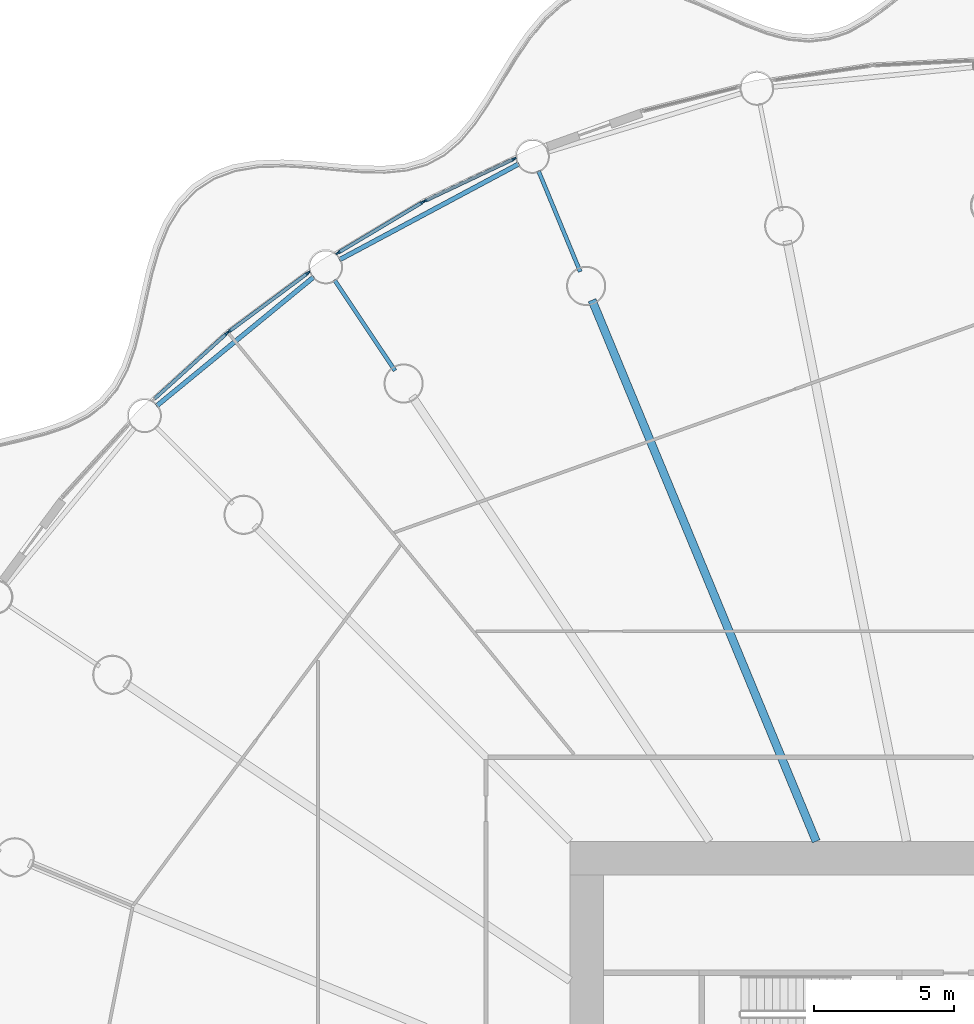
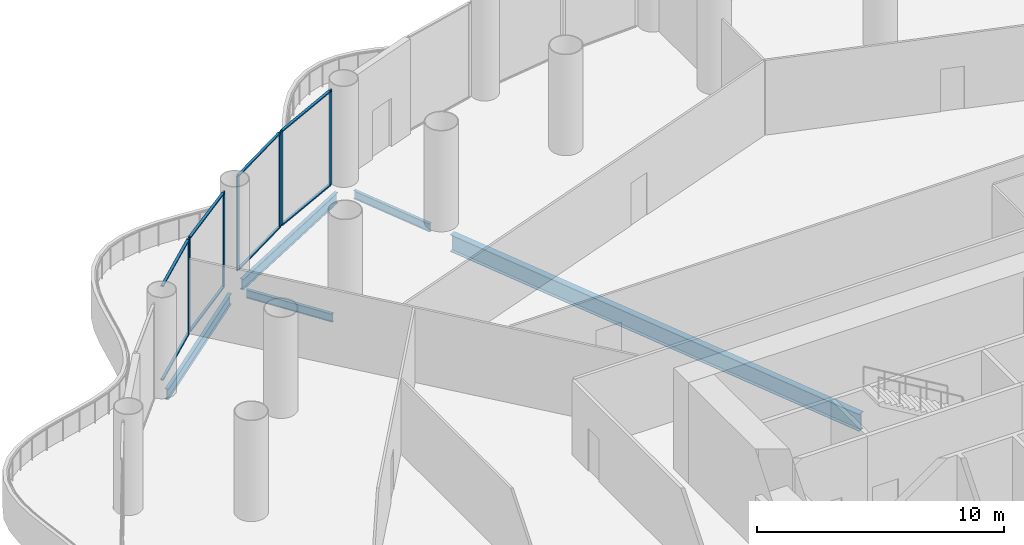
# One storey, part 16 of 36: 15 members, 5 beams, 4 elements without a shape of their own.
"""IFC4 building model written with IfcOpenShell, lengths in metres."""

from ifc_helpers import new_model, si_unit, direction, frame, origin, origin_2d, place, context, subcontext, project, spatial, rectangle, i_section, extrude, material, material_profile, profile_set, type_object, element, aggregate, save


model = new_model("IFC4")

# Units and contexts
model_context = context("Model", 3, precision=1e-05, world=origin(), true_north=direction((0.0, 1.0)))
body_context = subcontext(model_context, "Body", "Model", "MODEL_VIEW")
ifc_project = project(units=[si_unit("LENGTHUNIT", "METRE"), si_unit("AREAUNIT", "SQUARE_METRE"), si_unit("VOLUMEUNIT", "CUBIC_METRE"), si_unit("PLANEANGLEUNIT", "RADIAN"), si_unit("MASSUNIT", "GRAM", prefix="KILO")], contexts=[model_context])

# Site, building, storey
site_placement = place(None, origin())
site = spatial("IfcSite", under=ifc_project, at=site_placement, CompositionType="ELEMENT")
building_placement = place(site_placement, origin())
building = spatial("IfcBuilding", under=site, at=building_placement, Name="Corvane Civic Tower", CompositionType="ELEMENT")
storey_placement = place(building_placement, frame((0.0, 0.0, 17.0)))
storey = spatial("IfcBuildingStorey", under=building, at=storey_placement, Name="L03", CompositionType="ELEMENT", Elevation=17.0)

# Beams
ifc_material_1 = material(Name="Steel ASTM A992 Gr 50", Category="steel")
ifc_material_profile_1 = material_profile(ifc_material_1, i_section(OverallWidth=0.165771484375, OverallDepth=0.5283203125, WebThickness=0.009765625, FlangeThickness=0.013671875, at=origin_2d()), Name="W21X50")
ifc_profile_set_1 = profile_set([ifc_material_profile_1], Name="Steel ASTM A992 Gr 50")
beam_type_1 = type_object("IfcBeamType", Name="EDGE BEAM W21X50", PredefinedType="BEAM", material=ifc_profile_set_1)
for number, where, z_axis, x_axis, name in (
    (1, (-29.768310546875, 30.542236328125, -0.564208984375), (0.773007924807, 0.634396365205, 0.0), (-0.634396365205, 0.773007924807, 0.0), "BM-L03-E29"),
    (2, (-23.23779296875, 35.762939453125, -0.564208984375), (0.881912894916, 0.471412394598, 0.0), (-0.471412394598, 0.881912894916, 0.0), "BM-L03-E30"),
):
    element("IfcBeam", number, at=place(storey_placement, frame(where, z_axis=z_axis, x_axis=x_axis)), inside=storey, type_object=beam_type_1, Name=name, PredefinedType="BEAM", context=body_context, shape_type="SweptSolid", body=[
        extrude(i_section(OverallWidth=0.165771484375, OverallDepth=0.5283203125, WebThickness=0.009765625, FlangeThickness=0.013671875, at=origin_2d()), origin(), (0.0, 0.0, 1.0), 7.270751953125),
    ])
ifc_material_2 = material(Name="Steel ASTM A992 Gr 50", Category="steel")
ifc_material_profile_2 = material_profile(ifc_material_2, i_section(OverallWidth=0.140380859375, OverallDepth=0.40380859375, WebThickness=0.007080078125, FlangeThickness=0.01123046875, at=origin_2d()), Name="W16X31")
ifc_profile_set_2 = profile_set([ifc_material_profile_2], Name="Steel ASTM A992 Gr 50")
beam_type_2 = type_object("IfcBeamType", Name="FLOOR GIRDER W16X31", PredefinedType="BEAM", material=ifc_profile_set_2)
for number, where, z_axis, x_axis, name in (
    (3, (-21.25048828125, 31.8037109375, -0.501953125), (-0.555581110199, 0.831462344301, 0.0), (-0.831462344301, -0.555581110199, 0.0), "BM-L03-G30b"),
    (4, (-14.6376953125, 35.33837890625, -0.501953125), (-0.382685369162, 0.923878730261, 0.0), (-0.923878730261, -0.382685369162, 0.0), "BM-L03-G31b"),
):
    element("IfcBeam", number, at=place(storey_placement, frame(where, z_axis=z_axis, x_axis=x_axis)), inside=storey, type_object=beam_type_2, Name=name, PredefinedType="BEAM", context=body_context, shape_type="SweptSolid", body=[
        extrude(i_section(OverallWidth=0.140380859375, OverallDepth=0.40380859375, WebThickness=0.007080078125, FlangeThickness=0.01123046875, at=origin_2d()), origin(), (0.0, 0.0, 1.0), 3.89990234375),
    ])
ifc_material_3 = material(Name="Steel ASTM A992 Gr 50", Category="steel")
ifc_material_profile_3 = material_profile(ifc_material_3, i_section(OverallWidth=0.2919921875, OverallDepth=0.845703125, WebThickness=0.015380859375, FlangeThickness=0.0244140625, at=origin_2d()), Name="W33X141")
ifc_profile_set_3 = profile_set([ifc_material_profile_3], Name="Steel ASTM A992 Gr 50")
beam_type_3 = type_object("IfcBeamType", Name="FLOOR GIRDER W33X141", PredefinedType="BEAM", material=ifc_profile_set_3)
beam_placement = place(storey_placement, frame((-6.213134765625, 15.0, -0.722900390625), z_axis=(-0.382692360381, 0.923875834355, 0.0), x_axis=(-0.923875834355, -0.382692360381, 0.0)))
element("IfcBeam", 5, at=beam_placement, inside=storey, type_object=beam_type_3, Name="BM-L03-G31", PredefinedType="BEAM", context=body_context, shape_type="SweptSolid", body=[
    extrude(i_section(OverallWidth=0.2919921875, OverallDepth=0.845703125, WebThickness=0.015380859375, FlangeThickness=0.0244140625, at=origin_2d()), origin(), (0.0, 0.0, 1.0), 20.9140625),
])

# Curtain wall, member
ifc_material_4 = material(Name="Aluminium and glass", Category="aluminium")
curtain_wall_type = type_object("IfcCurtainWallType", Name="PODIUM-CW-P-RUN", PredefinedType="NOTDEFINED", material=ifc_material_4)
curtain_wall_1_placement = place(storey_placement, origin())
curtain_wall_1 = element("IfcCurtainWall", 6, at=curtain_wall_1_placement, inside=storey, type_object=curtain_wall_type, Name="PODI run L03-drum-29A", PredefinedType="NOTDEFINED")
ifc_material_5 = material(Name="Anodised aluminium bronze", Category="aluminium")
ifc_material_profile_4 = material_profile(ifc_material_5, rectangle(XDim=0.06005859375, YDim=0.159912109375, at=origin_2d()), Name="AL 60x160")
ifc_profile_set_4 = profile_set([ifc_material_profile_4], Name="Anodised aluminium bronze")
member_type_1 = type_object("IfcMemberType", Name="PODIUM-CWP-MULLION-60x160", PredefinedType="MULLION", material=ifc_profile_set_4)
member_1_placement = place(storey_placement, frame((-27.25537109375, 33.13916015625, 0.0), z_axis=(0.0, 0.0, 1.0), x_axis=(-0.671576457952, 0.740935261089, 0.0)))
member_1 = element("IfcMember", 7, at=member_1_placement, type_object=member_type_1, Name="CW-P mullion 2", PredefinedType="MULLION", context=body_context, shape_type="SweptSolid", body=[
    extrude(rectangle(XDim=0.06005859375, YDim=0.159912109375, at=origin_2d()), origin(), (0.0, 0.0, 1.0), 4.699951171875),
])

# Curtain wall, members
curtain_wall_2_placement = place(storey_placement, origin())
curtain_wall_2 = element("IfcCurtainWall", 8, at=curtain_wall_2_placement, inside=storey, type_object=curtain_wall_type, Name="PODI run L03-drum-29B", PredefinedType="NOTDEFINED")
member_2_placement = place(storey_placement, frame((-27.18505859375, 33.197021484375, 0.0), z_axis=(0.0, 0.0, 1.0), x_axis=(-0.595705104665, 0.803203229747, 0.0)))
member_2 = element("IfcMember", 9, at=member_2_placement, type_object=member_type_1, Name="CW-P mullion 1", PredefinedType="MULLION", context=body_context, shape_type="SweptSolid", body=[
    extrude(rectangle(XDim=0.06005859375, YDim=0.159912109375, at=origin_2d()), origin(), (0.0, 0.0, 1.0), 4.699951171875),
])
member_3_placement = place(storey_placement, frame((-24.35791015625, 35.293701171875, 0.0), z_axis=(0.0, 0.0, 1.0), x_axis=(-0.595705104665, 0.803203229747, 0.0)))
member_3 = element("IfcMember", 10, at=member_3_placement, type_object=member_type_1, Name="CW-P mullion 2", PredefinedType="MULLION", context=body_context, shape_type="SweptSolid", body=[
    extrude(rectangle(XDim=0.06005859375, YDim=0.159912109375, at=origin_2d()), origin(), (0.0, 0.0, 1.0), 4.699951171875),
])

curtain_wall_3_placement = place(storey_placement, origin())
curtain_wall_3 = element("IfcCurtainWall", 11, at=curtain_wall_3_placement, inside=storey, type_object=curtain_wall_type, Name="PODI run L03-drum-30A", PredefinedType="NOTDEFINED")
member_4_placement = place(storey_placement, frame((-23.28564453125, 36.010009765625, 0.0), z_axis=(0.0, 0.0, 1.0), x_axis=(-0.514117759857, 0.857719609779, 0.0)))
member_4 = element("IfcMember", 12, at=member_4_placement, type_object=member_type_1, Name="CW-P mullion 1", PredefinedType="MULLION", context=body_context, shape_type="SweptSolid", body=[
    extrude(rectangle(XDim=0.06005859375, YDim=0.159912109375, at=origin_2d()), origin(), (0.0, 0.0, 1.0), 4.699951171875),
])
member_5_placement = place(storey_placement, frame((-20.2666015625, 37.819580078125, 0.0), z_axis=(0.0, 0.0, 1.0), x_axis=(-0.514117759857, 0.857719609779, 0.0)))
member_5 = element("IfcMember", 13, at=member_5_placement, type_object=member_type_1, Name="CW-P mullion 2", PredefinedType="MULLION", context=body_context, shape_type="SweptSolid", body=[
    extrude(rectangle(XDim=0.06005859375, YDim=0.159912109375, at=origin_2d()), origin(), (0.0, 0.0, 1.0), 4.699951171875),
])

curtain_wall_4_placement = place(storey_placement, origin())
curtain_wall_4 = element("IfcCurtainWall", 14, at=curtain_wall_4_placement, inside=storey, type_object=curtain_wall_type, Name="PODI run L03-drum-30B", PredefinedType="NOTDEFINED")
member_6_placement = place(storey_placement, frame((-20.186279296875, 37.862548828125, 0.0), z_axis=(0.0, 0.0, 1.0), x_axis=(-0.42755312852, 0.903990222454, 0.0)))
member_6 = element("IfcMember", 15, at=member_6_placement, type_object=member_type_1, Name="CW-P mullion 1", PredefinedType="MULLION", context=body_context, shape_type="SweptSolid", body=[
    extrude(rectangle(XDim=0.06005859375, YDim=0.159912109375, at=origin_2d()), origin(), (0.0, 0.0, 1.0), 4.699951171875),
])
member_7_placement = place(storey_placement, frame((-17.00439453125, 39.36767578125, 0.0), z_axis=(0.0, 0.0, 1.0), x_axis=(-0.42755312852, 0.903990222454, 0.0)))
member_7 = element("IfcMember", 16, at=member_7_placement, type_object=member_type_1, Name="CW-P mullion 2", PredefinedType="MULLION", context=body_context, shape_type="SweptSolid", body=[
    extrude(rectangle(XDim=0.06005859375, YDim=0.159912109375, at=origin_2d()), origin(), (0.0, 0.0, 1.0), 4.699951171875),
])

# Member
ifc_material_6 = material(Name="Anodised aluminium bronze", Category="aluminium")
ifc_material_profile_5 = material_profile(ifc_material_6, rectangle(XDim=0.1201171875, YDim=0.06005859375, at=origin_2d()), Name="AL 120x60")
ifc_profile_set_5 = profile_set([ifc_material_profile_5], Name="Anodised aluminium bronze")
member_type_2 = type_object("IfcMemberType", Name="PODIUM-CWP-TRANSOM-60x120", PredefinedType="USERDEFINED", material=ifc_profile_set_5)
member_8_placement = place(storey_placement, frame((-29.84130859375, 30.79541015625, 0.030029296875), z_axis=(0.740935382865, 0.671576323599, 0.0), x_axis=(-0.671576323599, 0.740935382865, 0.0)))
member_8 = element("IfcMember", 17, at=member_8_placement, type_object=member_type_2, Name="CW-P transom 1.1", ObjectType="TRANSOM", PredefinedType="USERDEFINED", context=body_context, shape_type="SweptSolid", body=[
    extrude(rectangle(XDim=0.1201171875, YDim=0.06005859375, at=origin_2d()), origin(), (0.0, 0.0, 1.0), 3.460205078125),
])

member_9_placement = place(storey_placement, frame((-29.84130859375, 30.79541015625, 4.669921875), z_axis=(0.740935382865, 0.671576323599, 0.0), x_axis=(-0.671576323599, 0.740935382865, 0.0)))
member_9 = element("IfcMember", 18, at=member_9_placement, type_object=member_type_2, Name="CW-P transom 1.2", ObjectType="TRANSOM", PredefinedType="USERDEFINED", context=body_context, shape_type="SweptSolid", body=[
    extrude(rectangle(XDim=0.1201171875, YDim=0.06005859375, at=origin_2d()), origin(), (0.0, 0.0, 1.0), 3.460205078125),
])

aggregate(curtain_wall_1, [member_1, member_8, member_9])

member_10_placement = place(storey_placement, frame((-27.160888671875, 33.21484375, 0.030029296875), z_axis=(0.803189518598, 0.595723591285, 0.0), x_axis=(-0.595723591285, 0.803189518598, 0.0)))
member_10 = element("IfcMember", 19, at=member_10_placement, type_object=member_type_2, Name="CW-P transom 1.1", ObjectType="TRANSOM", PredefinedType="USERDEFINED", context=body_context, shape_type="SweptSolid", body=[
    extrude(rectangle(XDim=0.1201171875, YDim=0.06005859375, at=origin_2d()), origin(), (0.0, 0.0, 1.0), 3.459716796875),
])

member_11_placement = place(storey_placement, frame((-27.160888671875, 33.21484375, 4.669921875), z_axis=(0.803189518598, 0.595723591285, 0.0), x_axis=(-0.595723591285, 0.803189518598, 0.0)))
member_11 = element("IfcMember", 20, at=member_11_placement, type_object=member_type_2, Name="CW-P transom 1.2", ObjectType="TRANSOM", PredefinedType="USERDEFINED", context=body_context, shape_type="SweptSolid", body=[
    extrude(rectangle(XDim=0.1201171875, YDim=0.06005859375, at=origin_2d()), origin(), (0.0, 0.0, 1.0), 3.459716796875),
])

aggregate(curtain_wall_2, [member_2, member_3, member_10, member_11])

member_12_placement = place(storey_placement, frame((-23.259765625, 36.025634765625, 0.030029296875), z_axis=(0.857723234181, 0.514111713099, 0.0), x_axis=(-0.514111713099, 0.857723234181, 0.0)))
member_12 = element("IfcMember", 21, at=member_12_placement, type_object=member_type_2, Name="CW-P transom 1.1", ObjectType="TRANSOM", PredefinedType="USERDEFINED", context=body_context, shape_type="SweptSolid", body=[
    extrude(rectangle(XDim=0.1201171875, YDim=0.06005859375, at=origin_2d()), origin(), (0.0, 0.0, 1.0), 3.45947265625),
])

member_13_placement = place(storey_placement, frame((-23.259765625, 36.025634765625, 4.669921875), z_axis=(0.857723234181, 0.514111713099, 0.0), x_axis=(-0.514111713099, 0.857723234181, 0.0)))
member_13 = element("IfcMember", 22, at=member_13_placement, type_object=member_type_2, Name="CW-P transom 1.2", ObjectType="TRANSOM", PredefinedType="USERDEFINED", context=body_context, shape_type="SweptSolid", body=[
    extrude(rectangle(XDim=0.1201171875, YDim=0.06005859375, at=origin_2d()), origin(), (0.0, 0.0, 1.0), 3.45947265625),
])

aggregate(curtain_wall_3, [member_4, member_5, member_12, member_13])

member_14_placement = place(storey_placement, frame((-20.1591796875, 37.87548828125, 0.030029296875), z_axis=(0.903993431638, 0.427546343166, 0.0), x_axis=(-0.427546343166, 0.903993431638, 0.0)))
member_14 = element("IfcMember", 23, at=member_14_placement, type_object=member_type_2, Name="CW-P transom 1.1", ObjectType="TRANSOM", PredefinedType="USERDEFINED", context=body_context, shape_type="SweptSolid", body=[
    extrude(rectangle(XDim=0.1201171875, YDim=0.06005859375, at=origin_2d()), origin(), (0.0, 0.0, 1.0), 3.4599609375),
])

member_15_placement = place(storey_placement, frame((-20.1591796875, 37.87548828125, 4.669921875), z_axis=(0.903993431638, 0.427546343166, 0.0), x_axis=(-0.427546343166, 0.903993431638, 0.0)))
member_15 = element("IfcMember", 24, at=member_15_placement, type_object=member_type_2, Name="CW-P transom 1.2", ObjectType="TRANSOM", PredefinedType="USERDEFINED", context=body_context, shape_type="SweptSolid", body=[
    extrude(rectangle(XDim=0.1201171875, YDim=0.06005859375, at=origin_2d()), origin(), (0.0, 0.0, 1.0), 3.4599609375),
])

aggregate(curtain_wall_4, [member_6, member_7, member_14, member_15])

save(model, "model.ifc")
